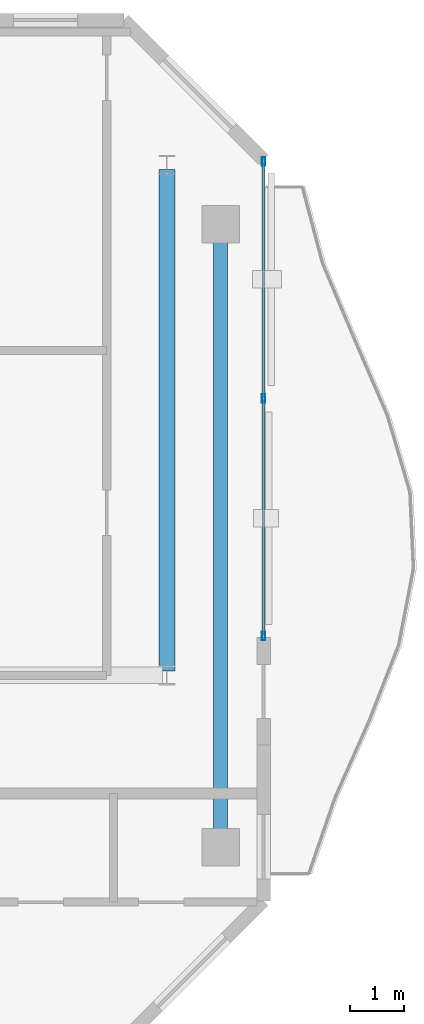
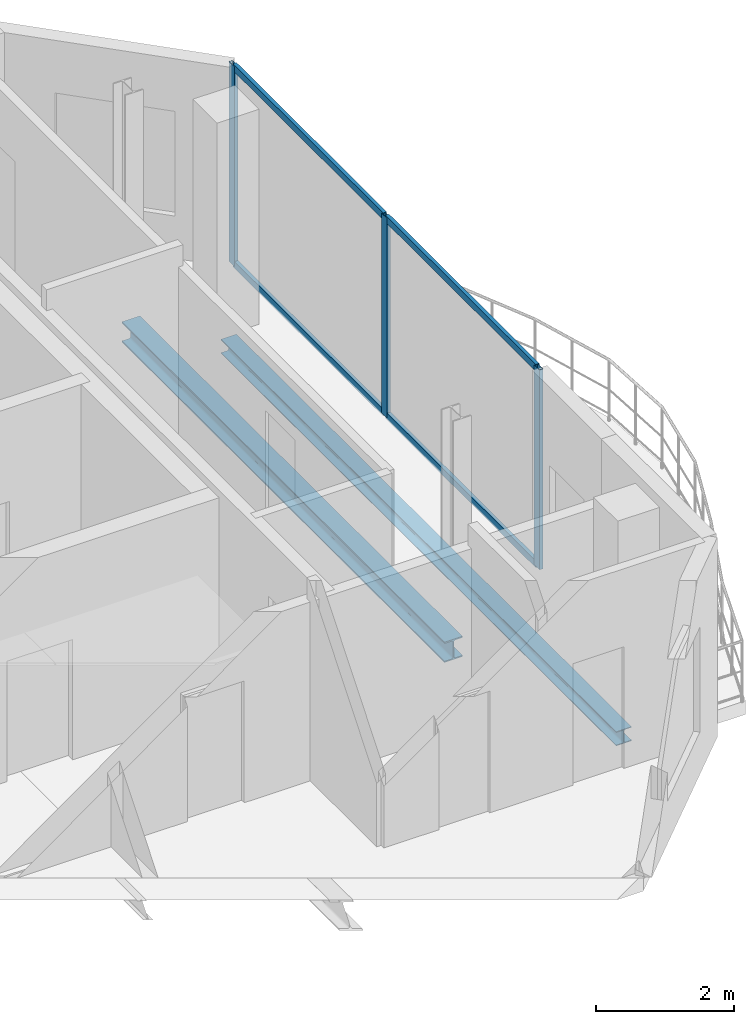
# One storey, part 12 of 18: 7 members, 2 beams, 1 element without a shape of its own.
"""IFC4 building model written with IfcOpenShell, lengths in metres."""

from ifc_helpers import new_model, si_unit, direction, frame, origin, origin_2d, place, context, subcontext, project, spatial, hollow_rectangle, i_section, extrude, material, layer, layer_set, material_profile, profile_set, type_object, element, aggregate, save


model = new_model("IFC4")

# Units and contexts
model_context = context("Model", 3, precision=1e-05, world=origin(), true_north=direction((0.0, 1.0)))
body_context = subcontext(model_context, "Body", "Model", "MODEL_VIEW")
ifc_project = project(units=[si_unit("LENGTHUNIT", "METRE"), si_unit("AREAUNIT", "SQUARE_METRE"), si_unit("VOLUMEUNIT", "CUBIC_METRE"), si_unit("PLANEANGLEUNIT", "RADIAN"), si_unit("MASSUNIT", "GRAM", prefix="KILO")], contexts=[model_context])

# Site, building, storey
site_placement = place(None, origin())
site = spatial("IfcSite", under=ifc_project, at=site_placement, CompositionType="ELEMENT")
building_placement = place(site_placement, origin())
building = spatial("IfcBuilding", under=site, at=building_placement, Name="Catumbela Crestline Tower", CompositionType="ELEMENT")
storey_placement = place(building_placement, frame((0.0, 0.0, 264.0)))
storey = spatial("IfcBuildingStorey", under=building, at=storey_placement, Name="L68", CompositionType="ELEMENT", Elevation=264.0)

# Beam
ifc_material_1 = material(Name="Structural steel S355J2", Category="steel")
ifc_material_profile_1 = material_profile(ifc_material_1, i_section(OverallWidth=0.3, OverallDepth=0.36, WebThickness=0.0125, FlangeThickness=0.0225, FilletRadius=0.027, at=origin_2d()), Name="HEB 360")
ifc_profile_set_1 = profile_set([ifc_material_profile_1], Name="Structural steel S355J2")
beam_type_1 = type_object("IfcBeamType", Name="BG-HEB360", PredefinedType="BEAM", material=ifc_profile_set_1)
beam_1_placement = place(storey_placement, frame((44.2, 30.88, -0.44), z_axis=(0.0, 1.0, 0.0), x_axis=(-1.0, 0.0, 0.0)))
element("IfcBeam", 1, at=beam_1_placement, inside=storey, type_object=beam_type_1, Name="L68 Beam BM-L68-SN10", PredefinedType="BEAM", context=body_context, shape_type="SweptSolid", body=[
    extrude(i_section(OverallWidth=0.3, OverallDepth=0.36, WebThickness=0.0125, FlangeThickness=0.0225, FilletRadius=0.027, at=origin_2d()), origin(), (0.0, 0.0, 1.0), 9.34),
])

# Curtain wall, members
ifc_material_2 = material(Name="Aluminium alloy AW-6060-T66", Category="aluminium")
ifc_layer = layer(ifc_material_2, 0.18, Name="Aluminium alloy AW-6060-T66")
ifc_layer_set = layer_set([ifc_layer], Name="Aluminium alloy AW-6060-T66")
curtain_wall_type = type_object("IfcCurtainWallType", Name="CWU-Z4", PredefinedType="USERDEFINED", material=ifc_layer_set)
curtain_wall_placement = place(storey_placement, origin())
curtain_wall = element("IfcCurtainWall", 2, at=curtain_wall_placement, inside=storey, type_object=curtain_wall_type, Name="L68 Unitised Curtain Wall CW-L68-E5S2", ObjectType="UNITISED", PredefinedType="USERDEFINED")
ifc_material_profile_2 = material_profile(ifc_material_2, hollow_rectangle(XDim=0.06, YDim=0.16, WallThickness=0.004, at=origin_2d()), Name="ALU 160x60x4")
ifc_profile_set_2 = profile_set([ifc_material_profile_2], Name="Aluminium alloy AW-6060-T66")
member_type_1 = type_object("IfcMemberType", Name="MUL-160X60", PredefinedType="MULLION", material=ifc_profile_set_2)
member_1_placement = place(storey_placement, frame((46.0, 31.5325, 0.0), z_axis=(0.0, 0.0, 1.0), x_axis=(-1.0, 0.0, 0.0)))
member_1 = element("IfcMember", 3, at=member_1_placement, type_object=member_type_1, Name="CWU-Z4 mullion 1", PredefinedType="MULLION", context=body_context, shape_type="SweptSolid", body=[
    extrude(hollow_rectangle(XDim=0.06, YDim=0.16, WallThickness=0.004, at=origin_2d()), origin(), (0.0, 0.0, 1.0), 3.53),
])
member_2_placement = place(storey_placement, frame((46.0, 35.95, 0.0), z_axis=(0.0, 0.0, 1.0), x_axis=(-1.0, 0.0, 0.0)))
member_2 = element("IfcMember", 4, at=member_2_placement, type_object=member_type_1, Name="CWU-Z4 mullion 2", PredefinedType="MULLION", context=body_context, shape_type="SweptSolid", body=[
    extrude(hollow_rectangle(XDim=0.06, YDim=0.16, WallThickness=0.004, at=origin_2d()), origin(), (0.0, 0.0, 1.0), 3.53),
])
member_3_placement = place(storey_placement, frame((46.0, 40.3675, 0.0), z_axis=(0.0, 0.0, 1.0), x_axis=(-1.0, 0.0, 0.0)))
member_3 = element("IfcMember", 5, at=member_3_placement, type_object=member_type_1, Name="CWU-Z4 mullion 3", PredefinedType="MULLION", context=body_context, shape_type="SweptSolid", body=[
    extrude(hollow_rectangle(XDim=0.06, YDim=0.16, WallThickness=0.004, at=origin_2d()), origin(), (0.0, 0.0, 1.0), 3.53),
])

# Beam
ifc_material_profile_3 = material_profile(ifc_material_1, i_section(OverallWidth=0.26, OverallDepth=0.25, WebThickness=0.0075, FlangeThickness=0.0125, FilletRadius=0.024, at=origin_2d()), Name="HEA 260")
ifc_profile_set_3 = profile_set([ifc_material_profile_3], Name="Structural steel S355J2")
beam_type_2 = type_object("IfcBeamType", Name="BS-HEA260", PredefinedType="SPANDREL", material=ifc_profile_set_3)
beam_2_placement = place(storey_placement, frame((45.2, 27.68, -0.385), z_axis=(0.0, 1.0, 0.0), x_axis=(-1.0, 0.0, 0.0)))
element("IfcBeam", 6, at=beam_2_placement, inside=storey, type_object=beam_type_2, Name="L68 Spandrel SP-L68-SN11", PredefinedType="SPANDREL", context=body_context, shape_type="SweptSolid", body=[
    extrude(i_section(OverallWidth=0.26, OverallDepth=0.25, WebThickness=0.0075, FlangeThickness=0.0125, FilletRadius=0.024, at=origin_2d()), origin(), (0.0, 0.0, 1.0), 11.44),
])

# Member
ifc_material_profile_4 = material_profile(ifc_material_2, hollow_rectangle(XDim=0.06, YDim=0.12, WallThickness=0.0035, at=origin_2d()), Name="ALU 120x60x3.5")
ifc_profile_set_4 = profile_set([ifc_material_profile_4], Name="Aluminium alloy AW-6060-T66")
member_type_2 = type_object("IfcMemberType", Name="TRN-120X60", PredefinedType="USERDEFINED", material=ifc_profile_set_4)
member_4_placement = place(storey_placement, frame((46.0, 31.565, 0.03), z_axis=(0.0, 1.0, 0.0), x_axis=(-1.0, 0.0, 0.0)))
member_4 = element("IfcMember", 7, at=member_4_placement, type_object=member_type_2, Name="CWU-Z4 transom 1.1", ObjectType="TRANSOM", PredefinedType="USERDEFINED", context=body_context, shape_type="SweptSolid", body=[
    extrude(hollow_rectangle(XDim=0.06, YDim=0.12, WallThickness=0.0035, at=origin_2d()), origin(), (0.0, 0.0, 1.0), 4.3525),
])

member_5_placement = place(storey_placement, frame((46.0, 31.565, 3.5), z_axis=(0.0, 1.0, 0.0), x_axis=(-1.0, 0.0, 0.0)))
member_5 = element("IfcMember", 8, at=member_5_placement, type_object=member_type_2, Name="CWU-Z4 transom 1.2", ObjectType="TRANSOM", PredefinedType="USERDEFINED", context=body_context, shape_type="SweptSolid", body=[
    extrude(hollow_rectangle(XDim=0.06, YDim=0.12, WallThickness=0.0035, at=origin_2d()), origin(), (0.0, 0.0, 1.0), 4.3525),
])

member_6_placement = place(storey_placement, frame((46.0, 35.9825, 0.03), z_axis=(0.0, 1.0, 0.0), x_axis=(-1.0, 0.0, 0.0)))
member_6 = element("IfcMember", 9, at=member_6_placement, type_object=member_type_2, Name="CWU-Z4 transom 2.1", ObjectType="TRANSOM", PredefinedType="USERDEFINED", context=body_context, shape_type="SweptSolid", body=[
    extrude(hollow_rectangle(XDim=0.06, YDim=0.12, WallThickness=0.0035, at=origin_2d()), origin(), (0.0, 0.0, 1.0), 4.3525),
])

member_7_placement = place(storey_placement, frame((46.0, 35.9825, 3.5), z_axis=(0.0, 1.0, 0.0), x_axis=(-1.0, 0.0, 0.0)))
member_7 = element("IfcMember", 10, at=member_7_placement, type_object=member_type_2, Name="CWU-Z4 transom 2.2", ObjectType="TRANSOM", PredefinedType="USERDEFINED", context=body_context, shape_type="SweptSolid", body=[
    extrude(hollow_rectangle(XDim=0.06, YDim=0.12, WallThickness=0.0035, at=origin_2d()), origin(), (0.0, 0.0, 1.0), 4.3525),
])

aggregate(curtain_wall, [member_1, member_2, member_3, member_4, member_5, member_6, member_7])

save(model, "model.ifc")
